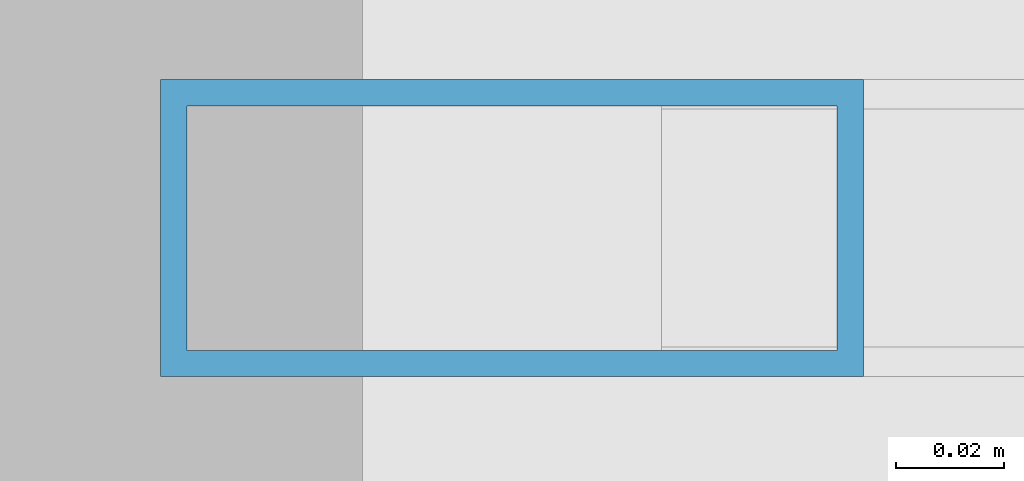
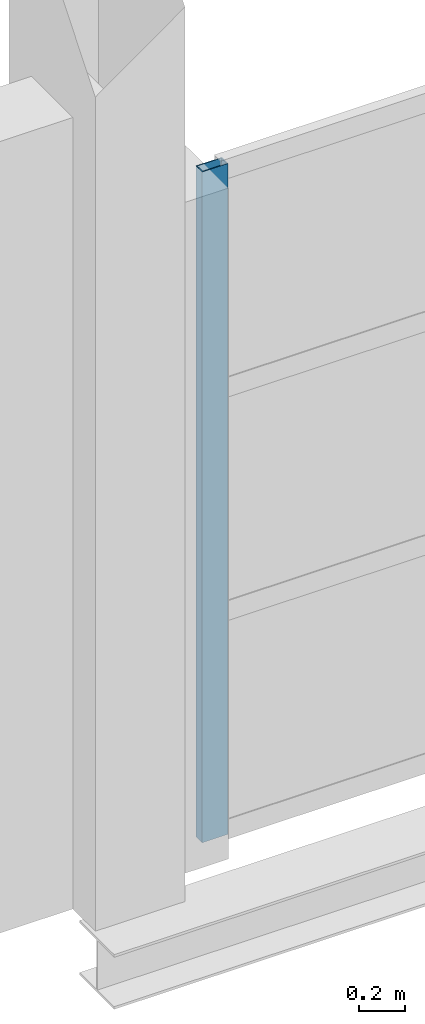
# One storey, part 50 of 147: 1 member, 1 element without a shape of its own.
"""IFC4 building model written with IfcOpenShell, lengths in metres."""

from ifc_helpers import new_model, si_unit, direction, frame, origin, origin_2d, place, context, subcontext, project, spatial, hollow_rectangle, extrude, material, layer, layer_set, material_profile, profile_set, type_object, element, aggregate, save


model = new_model("IFC4")

# Units and contexts
model_context = context("Model", 3, precision=1e-05, world=origin(), true_north=direction((0.0, 1.0)))
body_context = subcontext(model_context, "Body", "Model", "MODEL_VIEW")
ifc_project = project(units=[si_unit("LENGTHUNIT", "METRE"), si_unit("AREAUNIT", "SQUARE_METRE"), si_unit("VOLUMEUNIT", "CUBIC_METRE"), si_unit("PLANEANGLEUNIT", "RADIAN"), si_unit("MASSUNIT", "GRAM", prefix="KILO")], contexts=[model_context])

# Site, building, storey
site_placement = place(None, origin())
site = spatial("IfcSite", under=ifc_project, at=site_placement, CompositionType="ELEMENT")
building_placement = place(site_placement, origin())
building = spatial("IfcBuilding", under=site, at=building_placement, Name="Zilviju Railside Exhibition Hall", CompositionType="ELEMENT")
storey_placement = place(building_placement, frame((0.0, 0.0, 8.39990234375)))
storey = spatial("IfcBuildingStorey", under=building, at=storey_placement, Name="L03", CompositionType="ELEMENT", Elevation=8.39990234375)

# Curtain wall, member
ifc_material_1 = material(Name="Thermally broken aluminium-steel triple-glazed curtain wall", Category="steel")
ifc_layer = layer(ifc_material_1, 0.179931640625)
ifc_layer_set = layer_set([ifc_layer], Name="Thermally broken aluminium-steel triple-glazed curtain wall")
curtain_wall_type = type_object("IfcCurtainWallType", Name="CW-BAY-16", PredefinedType="USERDEFINED", material=ifc_layer_set)
curtain_wall_placement = place(storey_placement, origin())
curtain_wall = element("IfcCurtainWall", 1, at=curtain_wall_placement, inside=storey, type_object=curtain_wall_type, Name="South Hall Facade Curtain Wall L03 (127..132)", ObjectType="GLAZED CURTAIN WALL", PredefinedType="USERDEFINED")
ifc_material_2 = material(Name="Thermally broken anodized aluminium mullion", Category="aluminium")
ifc_material_profile = material_profile(ifc_material_2, hollow_rectangle(XDim=0.054931640625, YDim=0.1298828125, WallThickness=0.0048828125, at=origin_2d()), Name="MULLION 130x55x5")
ifc_profile_set = profile_set([ifc_material_profile], Name="Thermally broken anodized aluminium mullion")
member_type = type_object("IfcMemberType", Name="CWM-55x130", PredefinedType="MULLION", material=ifc_profile_set)
member_placement = place(storey_placement, frame((127.177490234375, 0.0, 0.0), z_axis=(0.0, 0.0, 1.0), x_axis=(0.0, -1.0, 0.0)))
member = element("IfcMember", 2, at=member_placement, type_object=member_type, Name="CW-16 mullion 3", PredefinedType="MULLION", context=body_context, shape_type="SweptSolid", body=[
    extrude(hollow_rectangle(XDim=0.054931640625, YDim=0.1298828125, WallThickness=0.0048828125, at=origin_2d()), origin(), (0.0, 0.0, 1.0), 3.56005859375),
])
aggregate(curtain_wall, [member])

save(model, "model.ifc")
